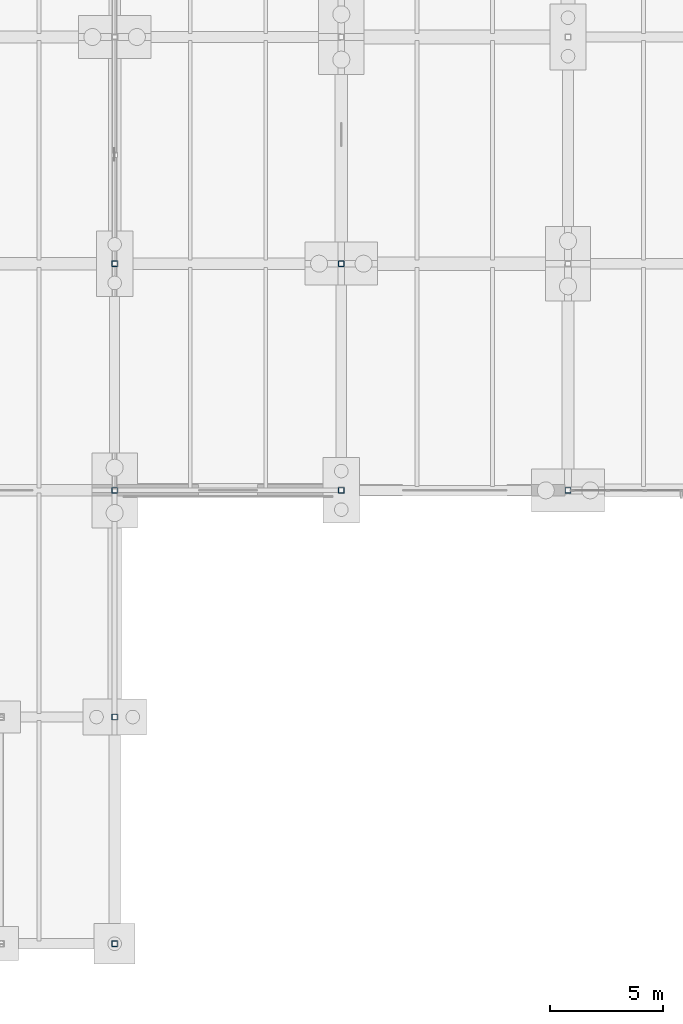
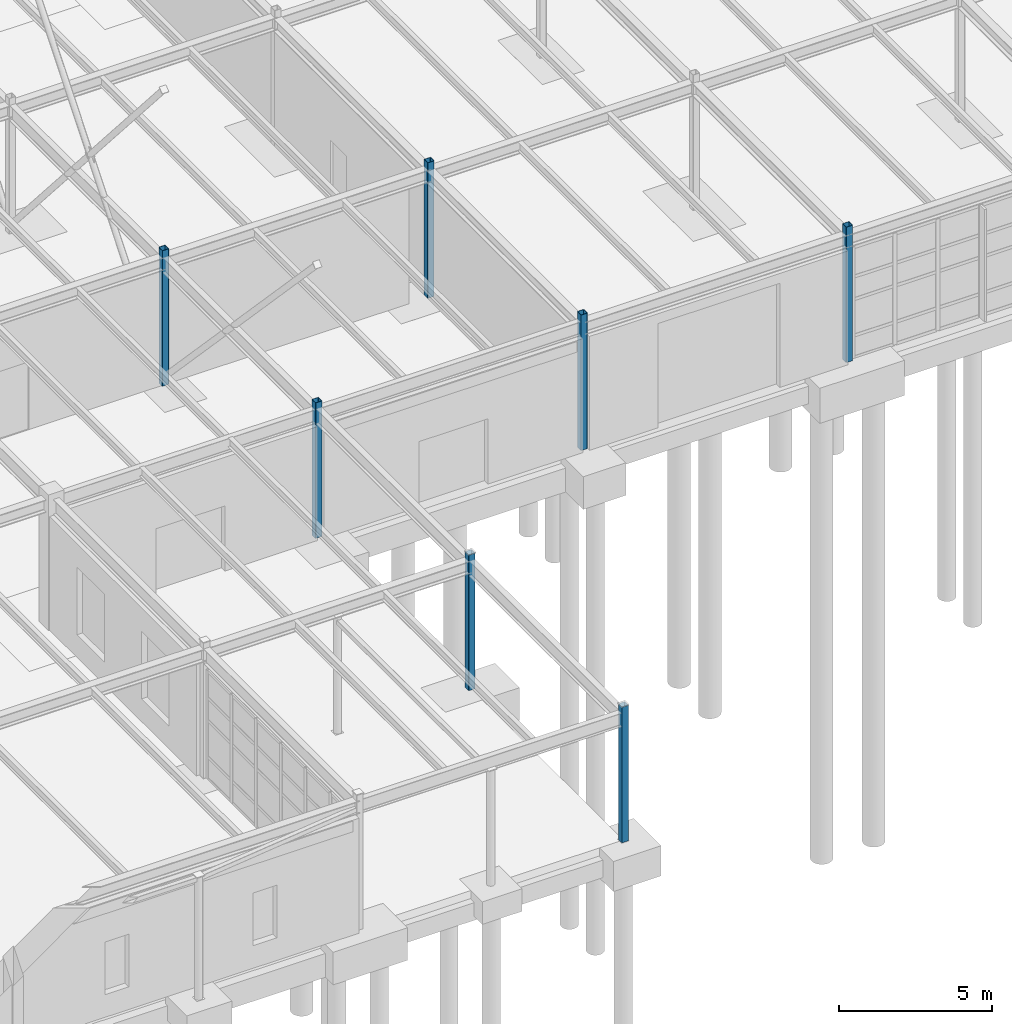
# One storey, part 14 of 145: 7 columns.
"""IFC4 building model written with IfcOpenShell, lengths in metres."""

import ifcopenshell
import ifcopenshell.guid

model = None  # the IFC model being written
_history = None  # IfcOwnerHistory: only IFC2X3 demands one
_inside = {}  # id of a spatial element -> (the spatial element, [elements in it])
_under = {}  # id of a project, library or spatial element -> (it, [spatial elements below it])
_declared = {}  # id of a project -> (the project, [libraries it declares])
_typed = {}  # id of a type object -> (the type object, [elements of that type])
_made_of = {}  # id of a material, layer set ... -> (it, [elements and type objects made of it])


def new_model(schema):
    """Start an empty IFC model of exactly this schema.

    Asked for "IFC4X3", IfcOpenShell would pick the latest addendum, in which some entities
    have other attributes; the version numbers below select the first issue.
    IFC2X3 requires an IfcOwnerHistory on every rooted entity: one is made here for all.
    """
    global model, _history
    if schema == "IFC4X3":
        model = ifcopenshell.file(schema_version=(4, 3, 0, 0))
    else:
        model = ifcopenshell.file(schema=schema)
    _inside.clear()
    _under.clear()
    _declared.clear()
    _typed.clear()
    _made_of.clear()
    _history = None
    if model.schema == "IFC2X3":
        org = make("IfcOrganization", Name="unknown")
        user = make(
            "IfcPersonAndOrganization",
            ThePerson=make("IfcPerson", FamilyName="unknown"),
            TheOrganization=org,
        )
        app = make(
            "IfcApplication",
            ApplicationDeveloper=org,
            Version="unknown",
            ApplicationFullName="unknown",
            ApplicationIdentifier="unknown",
        )
        _history = make(
            "IfcOwnerHistory",
            OwningUser=user,
            OwningApplication=app,
            ChangeAction="ADDED",
            CreationDate=0,
        )
    return model


def make(cls, **values):
    """One entity of the class cls with the attributes given. An attribute that is None is left unset."""
    return model.create_entity(
        cls, **{name: value for name, value in values.items() if value is not None}
    )


def rooted(cls, **values):
    """An entity with a GlobalId (a new one), such as an element, a storey or a relation."""
    return make(cls, GlobalId=ifcopenshell.guid.new(), OwnerHistory=_history, **values)


def si_unit(unit_type, name, prefix=None):
    """IfcSIUnit, for example si_unit("LENGTHUNIT", "METRE", prefix="MILLI")."""
    return make("IfcSIUnit", UnitType=unit_type, Prefix=prefix, Name=name)


def assignment(units):
    """IfcUnitAssignment: the units of a project."""
    return None if units is None else make("IfcUnitAssignment", Units=units)


def point(xyz):
    """IfcCartesianPoint."""
    return None if xyz is None else make("IfcCartesianPoint", Coordinates=xyz)


def direction(xyz):
    """IfcDirection."""
    return None if xyz is None else make("IfcDirection", DirectionRatios=xyz)


def frame(location, z_axis=None, x_axis=None):
    """IfcAxis2Placement3D, a coordinate frame: its origin and axes. An axis left out is left unset."""
    return make(
        "IfcAxis2Placement3D",
        Location=point(location),
        Axis=direction(z_axis),
        RefDirection=direction(x_axis),
    )


def frame_2d(location, x_axis=None):
    """IfcAxis2Placement2D, a coordinate frame in the plane: its origin and x axis."""
    return make(
        "IfcAxis2Placement2D", Location=point(location), RefDirection=direction(x_axis)
    )


def origin():
    """The frame at (0, 0, 0) with its axes left unset."""
    return frame((0.0, 0.0, 0.0))


def origin_2d():
    """The frame at (0, 0) in the plane with its x axis left unset."""
    return frame_2d((0.0, 0.0))


def place(relative_to, where):
    """IfcLocalPlacement: puts the frame where relative to a parent placement (None: the world)."""
    return make(
        "IfcLocalPlacement", PlacementRelTo=relative_to, RelativePlacement=where
    )


def context(
    kind, dimensions, precision=None, world=None, true_north=None, identifier=None
):
    """IfcGeometricRepresentationContext, for example the 3D "Model" context."""
    return make(
        "IfcGeometricRepresentationContext",
        ContextIdentifier=identifier,
        ContextType=kind,
        CoordinateSpaceDimension=dimensions,
        Precision=precision,
        WorldCoordinateSystem=world,
        TrueNorth=true_north,
    )


def subcontext(parent, identifier, kind, view, scale=None):
    """IfcGeometricRepresentationSubContext, for example "Body" below "Model"."""
    return make(
        "IfcGeometricRepresentationSubContext",
        ContextIdentifier=identifier,
        ContextType=kind,
        ParentContext=parent,
        TargetScale=scale,
        TargetView=view,
    )


def project(units=None, contexts=None):
    """IfcProject with its units and contexts."""
    return rooted(
        "IfcProject",
        Name="project",
        RepresentationContexts=contexts,
        UnitsInContext=assignment(units),
    )


def spatial(cls, under=None, at=None, **own):
    """A site, building, storey or space (cls), placed at a placement, below another one or the project."""
    s = rooted(cls, ObjectPlacement=at, **own)
    if under is not None:
        _under.setdefault(under.id(), (under, []))[1].append(s)
    return s


def profile(cls, at=None, kind="AREA", **sizes):
    """A parametric profile (cls). Its sizes go by their IFC names, for example OverallWidth=200.0."""
    return make(cls, ProfileType=kind, Position=at, **sizes)


def hollow_rectangle(**sizes):
    """IfcRectangleHollowProfileDef."""
    return profile("IfcRectangleHollowProfileDef", **sizes)


def extrude(swept, where, along, depth):
    """IfcExtrudedAreaSolid: the profile swept, set in the frame where, extruded along a direction by depth."""
    return make(
        "IfcExtrudedAreaSolid",
        SweptArea=swept,
        Position=where,
        ExtrudedDirection=direction(along),
        Depth=depth,
    )


def shape(context_of_items, identifier, shape_type, items):
    """IfcShapeRepresentation: the items that make up one representation, for example the "Body"."""
    return make(
        "IfcShapeRepresentation",
        ContextOfItems=context_of_items,
        RepresentationIdentifier=identifier,
        RepresentationType=shape_type,
        Items=items,
    )


def material(Name=None, Category=None):
    """IfcMaterial."""
    return make("IfcMaterial", Name=Name, Category=Category)


def material_profile(
    of_material, cross_section, Name=None, Category=None, Priority=None
):
    """IfcMaterialProfile: a cross section and its material."""
    return make(
        "IfcMaterialProfile",
        Name=Name,
        Material=of_material,
        Profile=cross_section,
        Priority=Priority,
        Category=Category,
    )


def profile_set(profiles, Name=None, composite=None):
    """IfcMaterialProfileSet."""
    return make(
        "IfcMaterialProfileSet",
        Name=Name,
        MaterialProfiles=profiles,
        CompositeProfile=composite,
    )


def made_of(thing, what):
    """Note that an element or type object is made of a material, layer set ...; save() writes the relation."""
    if what is not None:
        _made_of.setdefault(what.id(), (what, []))[1].append(thing)
    return thing


def type_object(cls, material=None, **own):
    """A type object (cls), such as IfcWallType, which elements share."""
    return made_of(rooted(cls, **own), material)


def element(
    cls,
    number,
    at=None,
    inside=None,
    cuts=None,
    type_object=None,
    material=None,
    context=None,
    identifier="Body",
    shape_type=None,
    held_by="IfcProductDefinitionShape",
    body=None,
    shapes=None,
    **own,
):
    """One element of the class cls, such as IfcWall. Its Tag is "e" and its number.

    at: its placement. inside: the storey or other place that contains it. cuts: it is an
    opening in that element (IfcRelVoidsElement). A single representation is given by context,
    identifier, shape_type and body (its items); several are given by shapes. held_by: the class
    of the entity that holds the representations. save() writes the other relations.
    """
    e = rooted(cls, Tag="e%d" % number, ObjectPlacement=at, **own)
    if body is not None:
        shapes = [shape(context, identifier, shape_type, body)]
    if shapes is not None:
        e.Representation = make(held_by, Representations=shapes)
    if inside is not None:
        _inside.setdefault(inside.id(), (inside, []))[1].append(e)
    if cuts is not None:
        rooted(
            "IfcRelVoidsElement", RelatingBuildingElement=cuts, RelatedOpeningElement=e
        )
    if type_object is not None:
        _typed.setdefault(type_object.id(), (type_object, []))[1].append(e)
    return made_of(e, material)


def aggregate(whole, parts):
    """IfcRelAggregates: a whole, such as a stair, and the parts it consists of."""
    return rooted("IfcRelAggregates", RelatingObject=whole, RelatedObjects=parts)


def save(model, path):
    """Write the relations noted so far, then the file.

    IfcRelAggregates (storeys below a building ...), IfcRelContainedInSpatialStructure (elements
    in a storey), IfcRelDefinesByType, IfcRelAssociatesMaterial and IfcRelDeclares: one each for
    every whole, place, type object, material and project.
    """
    for whole, parts in _under.values():
        aggregate(whole, parts)
    for where, things in _inside.values():
        rooted(
            "IfcRelContainedInSpatialStructure",
            RelatedElements=things,
            RelatingStructure=where,
        )
    for kind, things in _typed.values():
        rooted("IfcRelDefinesByType", RelatedObjects=things, RelatingType=kind)
    for what, things in _made_of.values():
        rooted("IfcRelAssociatesMaterial", RelatedObjects=things, RelatingMaterial=what)
    for by, libraries in _declared.values():
        rooted("IfcRelDeclares", RelatingContext=by, RelatedDefinitions=libraries)
    model.write(path)


model = new_model("IFC4")

# Units and contexts
model_context = context("Model", 3, precision=1e-05, world=origin(), true_north=direction((0.0, 1.0)))
body_context = subcontext(model_context, "Body", "Model", "MODEL_VIEW")
ifc_project = project(units=[si_unit("LENGTHUNIT", "METRE"), si_unit("AREAUNIT", "SQUARE_METRE"), si_unit("VOLUMEUNIT", "CUBIC_METRE"), si_unit("PLANEANGLEUNIT", "RADIAN"), si_unit("MASSUNIT", "GRAM", prefix="KILO"), si_unit("THERMODYNAMICTEMPERATUREUNIT", "KELVIN"), si_unit("POWERUNIT", "WATT")], contexts=[model_context])

# Site, building, storey
site_placement = place(None, origin())
site = spatial("IfcSite", under=ifc_project, at=site_placement, CompositionType="ELEMENT")
building_placement = place(site_placement, origin())
building = spatial("IfcBuilding", under=site, at=building_placement, Name="Korenveer Ferry Terminal", CompositionType="ELEMENT")
storey_placement = place(building_placement, origin())
storey = spatial("IfcBuildingStorey", under=building, at=storey_placement, Name="L00", CompositionType="ELEMENT", Elevation=0.0)

# Columns
ifc_material = material(Name="Steel S355", Category="steel")
ifc_material_profile = material_profile(ifc_material, hollow_rectangle(XDim=0.25, YDim=0.25, WallThickness=0.012451171875, InnerFilletRadius=0.012451171875, OuterFilletRadius=0.018798828125, at=origin_2d()), Name="SHS 250x250x12.5")
ifc_profile_set = profile_set([ifc_material_profile], Name="Steel S355")
column_type = type_object("IfcColumnType", Name="STR-COL-SHS250", PredefinedType="COLUMN", material=ifc_profile_set)
for number, where, z_axis, x_axis, name in (
    (1, (63.0, 0.0, 0.0), (0.0, 0.0, 1.0), (1.0, 0.0, 0.0), "Column COL-L00-X63-Y0"),
    (2, (63.0, 10.0, 0.0), (0.0, 0.0, 1.0), (1.0, 0.0, 0.0), "Column COL-L00-X63-Y10"),
    (3, (63.0, 20.0, 0.0), (0.0, 0.0, 1.0), (1.0, 0.0, 0.0), "Column COL-L00-X63-Y20"),
    (4, (63.0, 30.0, 0.0), (0.0, 0.0, 1.0), (1.0, 0.0, 0.0), "Column COL-L00-X63-Y30"),
    (5, (73.0, 20.0, 0.0), (0.0, 0.0, 1.0), (1.0, 0.0, 0.0), "Column COL-L00-X73-Y20"),
    (6, (73.0, 30.0, 0.0), (0.0, 0.0, 1.0), (1.0, 0.0, 0.0), "Column COL-L00-X73-Y30"),
    (7, (83.0, 20.0, 0.0), (0.0, 0.0, 1.0), (1.0, 0.0, 0.0), "Column COL-L00-X83-Y20"),
):
    element("IfcColumn", number, at=place(storey_placement, frame(where, z_axis=z_axis, x_axis=x_axis)), inside=storey, type_object=column_type, Name=name, PredefinedType="COLUMN", context=body_context, shape_type="SweptSolid", body=[
        extrude(hollow_rectangle(XDim=0.25, YDim=0.25, WallThickness=0.012451171875, InnerFilletRadius=0.012451171875, OuterFilletRadius=0.018798828125, at=origin_2d()), origin(), (0.0, 0.0, 1.0), 5.39990234375),
    ])

save(model, "model.ifc")
